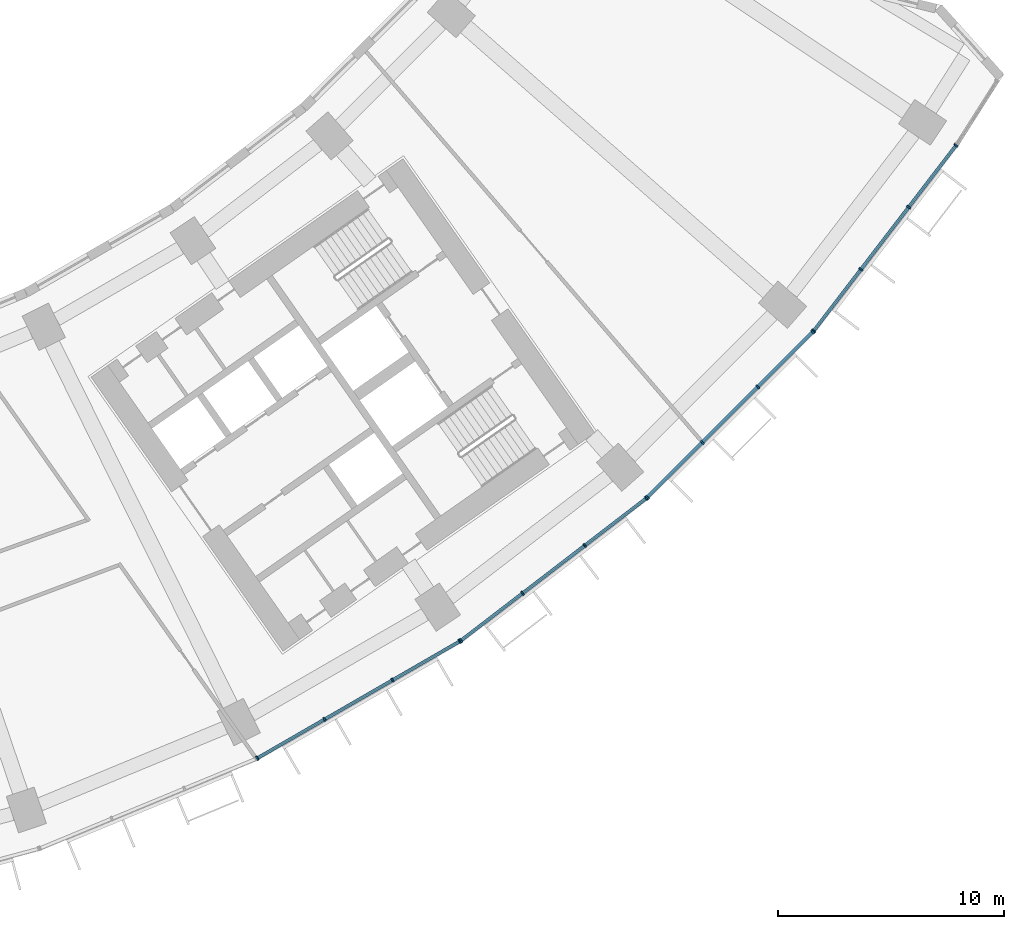
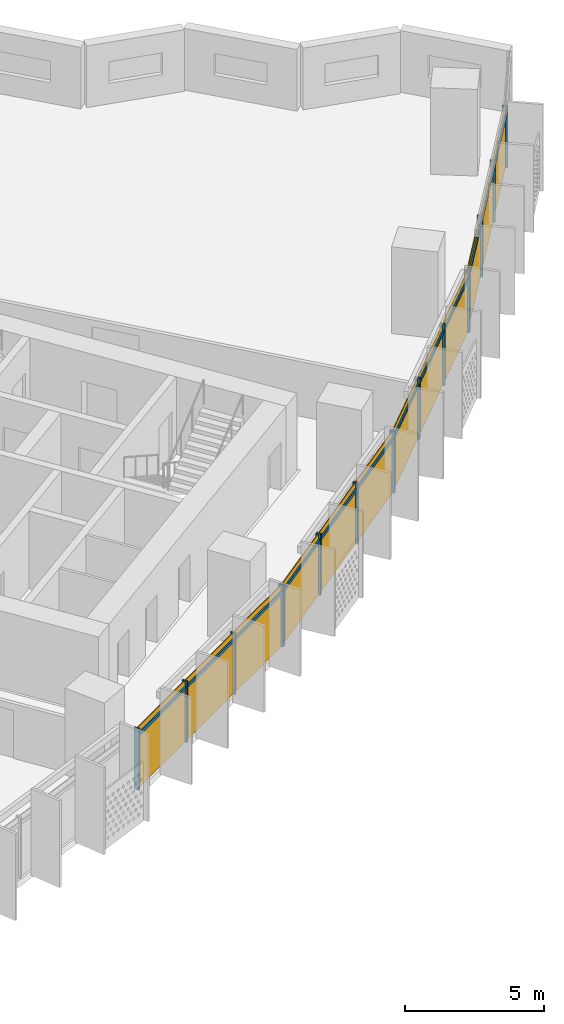
# One storey, part 22 of 31: 28 members, 4 curtain walls.
"""IFC4 building model written with IfcOpenShell, lengths in metres."""

from ifc_helpers import new_model, si_unit, direction, frame, origin, origin_2d, place, context, subcontext, project, spatial, rectangle, extrude, material, material_profile, profile_set, type_object, element, aggregate, save


model = new_model("IFC4")

# Units and contexts
model_context = context("Model", 3, precision=1e-05, world=origin(), true_north=direction((0.0, 1.0)))
body_context = subcontext(model_context, "Body", "Model", "MODEL_VIEW")
ifc_project = project(units=[si_unit("LENGTHUNIT", "METRE"), si_unit("AREAUNIT", "SQUARE_METRE"), si_unit("VOLUMEUNIT", "CUBIC_METRE"), si_unit("PLANEANGLEUNIT", "RADIAN"), si_unit("MASSUNIT", "GRAM", prefix="KILO")], contexts=[model_context])

# Member
ifc_material = material(Name="Aluminium 6063-T6 anodised", Category="aluminium")
ifc_material_profile_1 = material_profile(ifc_material, rectangle(XDim=0.199951171875, YDim=0.070068359375, at=origin_2d()))
ifc_profile_set_1 = profile_set([ifc_material_profile_1], Name="Aluminium 6063-T6 anodised")
member_type_1 = type_object("IfcMemberType", Name="Mullion 70 x 200 aluminium", PredefinedType="MULLION", material=ifc_profile_set_1)
site_placement = place(None, origin())
building_placement = place(site_placement, origin())
storey_placement = place(building_placement, frame((0.0, 0.0, 86.10009765625)))
member_1_placement = place(storey_placement, frame((35.20849609375, -71.331787109375, 0.0), z_axis=(0.0, 0.0, 1.0), x_axis=(-0.5, 0.866025403784, 0.0)))
member_1 = element("IfcMember", 1, at=member_1_placement, type_object=member_type_1, Name="e-cw1-L18-out12/M00", PredefinedType="MULLION", context=body_context, shape_type="SweptSolid", body=[
    extrude(rectangle(XDim=0.199951171875, YDim=0.070068359375, at=origin_2d()), origin(), (0.0, 0.0, 1.0), 2.699951171875),
])

member_2_placement = place(storey_placement, frame((38.18603515625, -69.61279296875, 0.0), z_axis=(0.0, 0.0, 1.0), x_axis=(-0.5, 0.866025403784, 0.0)))
member_2 = element("IfcMember", 2, at=member_2_placement, type_object=member_type_1, Name="e-cw1-L18-out12/M01", PredefinedType="MULLION", context=body_context, shape_type="SweptSolid", body=[
    extrude(rectangle(XDim=0.199951171875, YDim=0.070068359375, at=origin_2d()), origin(), (0.0, 0.0, 1.0), 2.699951171875),
])

member_3_placement = place(storey_placement, frame((41.193603515625, -67.87646484375, 0.0), z_axis=(0.0, 0.0, 1.0), x_axis=(-0.5, 0.866025403784, 0.0)))
member_3 = element("IfcMember", 3, at=member_3_placement, type_object=member_type_1, Name="e-cw1-L18-out12/M02", PredefinedType="MULLION", context=body_context, shape_type="SweptSolid", body=[
    extrude(rectangle(XDim=0.199951171875, YDim=0.070068359375, at=origin_2d()), origin(), (0.0, 0.0, 1.0), 2.699951171875),
])

member_4_placement = place(storey_placement, frame((44.1708984375, -66.157470703125, 0.0), z_axis=(0.0, 0.0, 1.0), x_axis=(-0.5, 0.866025403784, 0.0)))
member_4 = element("IfcMember", 4, at=member_4_placement, type_object=member_type_1, Name="e-cw1-L18-out12/M03", PredefinedType="MULLION", context=body_context, shape_type="SweptSolid", body=[
    extrude(rectangle(XDim=0.199951171875, YDim=0.070068359375, at=origin_2d()), origin(), (0.0, 0.0, 1.0), 2.699951171875),
])

member_5_placement = place(storey_placement, frame((44.218017578125, -66.1259765625, 0.0), z_axis=(0.0, 0.0, 1.0), x_axis=(-0.608761429009, 0.793353340291, 0.0)))
member_5 = element("IfcMember", 5, at=member_5_placement, type_object=member_type_1, Name="e-cw1-L18-out13/M00", PredefinedType="MULLION", context=body_context, shape_type="SweptSolid", body=[
    extrude(rectangle(XDim=0.199951171875, YDim=0.070068359375, at=origin_2d()), origin(), (0.0, 0.0, 1.0), 2.699951171875),
])

member_6_placement = place(storey_placement, frame((46.945556640625, -64.032958984375, 0.0), z_axis=(0.0, 0.0, 1.0), x_axis=(-0.608761429009, 0.793353340291, 0.0)))
member_6 = element("IfcMember", 6, at=member_6_placement, type_object=member_type_1, Name="e-cw1-L18-out13/M01", PredefinedType="MULLION", context=body_context, shape_type="SweptSolid", body=[
    extrude(rectangle(XDim=0.199951171875, YDim=0.070068359375, at=origin_2d()), origin(), (0.0, 0.0, 1.0), 2.699951171875),
])

member_7_placement = place(storey_placement, frame((49.70068359375, -61.9189453125, 0.0), z_axis=(0.0, 0.0, 1.0), x_axis=(-0.608761429009, 0.793353340291, 0.0)))
member_7 = element("IfcMember", 7, at=member_7_placement, type_object=member_type_1, Name="e-cw1-L18-out13/M02", PredefinedType="MULLION", context=body_context, shape_type="SweptSolid", body=[
    extrude(rectangle(XDim=0.199951171875, YDim=0.070068359375, at=origin_2d()), origin(), (0.0, 0.0, 1.0), 2.699951171875),
])

member_8_placement = place(storey_placement, frame((52.42822265625, -59.825927734375, 0.0), z_axis=(0.0, 0.0, 1.0), x_axis=(-0.608761429009, 0.793353340291, 0.0)))
member_8 = element("IfcMember", 8, at=member_8_placement, type_object=member_type_1, Name="e-cw1-L18-out13/M03", PredefinedType="MULLION", context=body_context, shape_type="SweptSolid", body=[
    extrude(rectangle(XDim=0.199951171875, YDim=0.070068359375, at=origin_2d()), origin(), (0.0, 0.0, 1.0), 2.699951171875),
])

member_9_placement = place(storey_placement, frame((52.470947265625, -59.78857421875, 0.0), z_axis=(0.0, 0.0, 1.0), x_axis=(-0.707106781187, 0.707106781187, 0.0)))
member_9 = element("IfcMember", 9, at=member_9_placement, type_object=member_type_1, Name="e-cw1-L18-out14/M00", PredefinedType="MULLION", context=body_context, shape_type="SweptSolid", body=[
    extrude(rectangle(XDim=0.199951171875, YDim=0.070068359375, at=origin_2d()), origin(), (0.0, 0.0, 1.0), 2.699951171875),
])

member_10_placement = place(storey_placement, frame((54.90185546875, -57.357666015625, 0.0), z_axis=(0.0, 0.0, 1.0), x_axis=(-0.707106781187, 0.707106781187, 0.0)))
member_10 = element("IfcMember", 10, at=member_10_placement, type_object=member_type_1, Name="e-cw1-L18-out14/M01", PredefinedType="MULLION", context=body_context, shape_type="SweptSolid", body=[
    extrude(rectangle(XDim=0.199951171875, YDim=0.070068359375, at=origin_2d()), origin(), (0.0, 0.0, 1.0), 2.699951171875),
])

member_11_placement = place(storey_placement, frame((57.357666015625, -54.90185546875, 0.0), z_axis=(0.0, 0.0, 1.0), x_axis=(-0.707106781187, 0.707106781187, 0.0)))
member_11 = element("IfcMember", 11, at=member_11_placement, type_object=member_type_1, Name="e-cw1-L18-out14/M02", PredefinedType="MULLION", context=body_context, shape_type="SweptSolid", body=[
    extrude(rectangle(XDim=0.199951171875, YDim=0.070068359375, at=origin_2d()), origin(), (0.0, 0.0, 1.0), 2.699951171875),
])

member_12_placement = place(storey_placement, frame((59.78857421875, -52.470947265625, 0.0), z_axis=(0.0, 0.0, 1.0), x_axis=(-0.707106781187, 0.707106781187, 0.0)))
member_12 = element("IfcMember", 12, at=member_12_placement, type_object=member_type_1, Name="e-cw1-L18-out14/M03", PredefinedType="MULLION", context=body_context, shape_type="SweptSolid", body=[
    extrude(rectangle(XDim=0.199951171875, YDim=0.070068359375, at=origin_2d()), origin(), (0.0, 0.0, 1.0), 2.699951171875),
])

member_13_placement = place(storey_placement, frame((59.825927734375, -52.42822265625, 0.0), z_axis=(0.0, 0.0, 1.0), x_axis=(-0.793353340291, 0.608761429009, 0.0)))
member_13 = element("IfcMember", 13, at=member_13_placement, type_object=member_type_1, Name="e-cw1-L18-out15/M00", PredefinedType="MULLION", context=body_context, shape_type="SweptSolid", body=[
    extrude(rectangle(XDim=0.199951171875, YDim=0.070068359375, at=origin_2d()), origin(), (0.0, 0.0, 1.0), 2.699951171875),
])

member_14_placement = place(storey_placement, frame((61.9189453125, -49.70068359375, 0.0), z_axis=(0.0, 0.0, 1.0), x_axis=(-0.793353340291, 0.608761429009, 0.0)))
member_14 = element("IfcMember", 14, at=member_14_placement, type_object=member_type_1, Name="e-cw1-L18-out15/M01", PredefinedType="MULLION", context=body_context, shape_type="SweptSolid", body=[
    extrude(rectangle(XDim=0.199951171875, YDim=0.070068359375, at=origin_2d()), origin(), (0.0, 0.0, 1.0), 2.699951171875),
])

member_15_placement = place(storey_placement, frame((64.032958984375, -46.945556640625, 0.0), z_axis=(0.0, 0.0, 1.0), x_axis=(-0.793353340291, 0.608761429009, 0.0)))
member_15 = element("IfcMember", 15, at=member_15_placement, type_object=member_type_1, Name="e-cw1-L18-out15/M02", PredefinedType="MULLION", context=body_context, shape_type="SweptSolid", body=[
    extrude(rectangle(XDim=0.199951171875, YDim=0.070068359375, at=origin_2d()), origin(), (0.0, 0.0, 1.0), 2.699951171875),
])

member_16_placement = place(storey_placement, frame((66.1259765625, -44.218017578125, 0.0), z_axis=(0.0, 0.0, 1.0), x_axis=(-0.793353340291, 0.608761429009, 0.0)))
member_16 = element("IfcMember", 16, at=member_16_placement, type_object=member_type_1, Name="e-cw1-L18-out15/M03", PredefinedType="MULLION", context=body_context, shape_type="SweptSolid", body=[
    extrude(rectangle(XDim=0.199951171875, YDim=0.070068359375, at=origin_2d()), origin(), (0.0, 0.0, 1.0), 2.699951171875),
])

ifc_material_profile_2 = material_profile(ifc_material, rectangle(XDim=0.139892578125, YDim=0.1201171875, at=origin_2d()))
ifc_profile_set_2 = profile_set([ifc_material_profile_2], Name="Aluminium 6063-T6 anodised")
member_type_2 = type_object("IfcMemberType", Name="Transom 120 x 140 aluminium", PredefinedType="USERDEFINED", material=ifc_profile_set_2)
member_17_placement = place(storey_placement, frame((35.239013671875, -71.314208984375, 2.39990234375), z_axis=(0.866026229868, 0.499998569178, 0.0), x_axis=(-0.499998569178, 0.866026229868, 0.0)))
member_17 = element("IfcMember", 17, at=member_17_placement, type_object=member_type_2, Name="e-cw1-L18-out12/T00", ObjectType="TRANSOM", PredefinedType="USERDEFINED", context=body_context, shape_type="SweptSolid", body=[
    extrude(rectangle(XDim=0.139892578125, YDim=0.1201171875, at=origin_2d()), origin(), (0.0, 0.0, 1.0), 3.36767578125),
])

member_18_placement = place(storey_placement, frame((38.21630859375, -69.595458984375, 2.39990234375), z_axis=(0.866000398227, 0.500043308395, 0.0), x_axis=(-0.500043308395, 0.866000398227, 0.0)))
member_18 = element("IfcMember", 18, at=member_18_placement, type_object=member_type_2, Name="e-cw1-L18-out12/T01", ObjectType="TRANSOM", PredefinedType="USERDEFINED", context=body_context, shape_type="SweptSolid", body=[
    extrude(rectangle(XDim=0.139892578125, YDim=0.1201171875, at=origin_2d()), origin(), (0.0, 0.0, 1.0), 3.403076171875),
])

member_19_placement = place(storey_placement, frame((41.223876953125, -67.85888671875, 2.39990234375), z_axis=(0.866044351828, 0.49996717959, 0.0), x_axis=(-0.49996717959, 0.866044351828, 0.0)))
member_19 = element("IfcMember", 19, at=member_19_placement, type_object=member_type_2, Name="e-cw1-L18-out12/T02", ObjectType="TRANSOM", PredefinedType="USERDEFINED", context=body_context, shape_type="SweptSolid", body=[
    extrude(rectangle(XDim=0.139892578125, YDim=0.1201171875, at=origin_2d()), origin(), (0.0, 0.0, 1.0), 3.367919921875),
])

member_20_placement = place(storey_placement, frame((44.245849609375, -66.1044921875, 2.39990234375), z_axis=(0.793375276742, 0.608732839803, 0.0), x_axis=(-0.608732839803, 0.793375276742, 0.0)))
member_20 = element("IfcMember", 20, at=member_20_placement, type_object=member_type_2, Name="e-cw1-L18-out13/T00", ObjectType="TRANSOM", PredefinedType="USERDEFINED", context=body_context, shape_type="SweptSolid", body=[
    extrude(rectangle(XDim=0.139892578125, YDim=0.1201171875, at=origin_2d()), origin(), (0.0, 0.0, 1.0), 3.36767578125),
])

member_21_placement = place(storey_placement, frame((46.973388671875, -64.01171875, 2.39990234375), z_axis=(0.793356868815, 0.60875683052, 0.0), x_axis=(-0.60875683052, 0.793356868815, 0.0)))
member_21 = element("IfcMember", 21, at=member_21_placement, type_object=member_type_2, Name="e-cw1-L18-out13/T01", ObjectType="TRANSOM", PredefinedType="USERDEFINED", context=body_context, shape_type="SweptSolid", body=[
    extrude(rectangle(XDim=0.139892578125, YDim=0.1201171875, at=origin_2d()), origin(), (0.0, 0.0, 1.0), 3.40283203125),
])

member_22_placement = place(storey_placement, frame((49.728515625, -61.8974609375, 2.39990234375), z_axis=(0.793375276742, 0.608732839803, 0.0), x_axis=(-0.608732839803, 0.793375276742, 0.0)))
member_22 = element("IfcMember", 22, at=member_22_placement, type_object=member_type_2, Name="e-cw1-L18-out13/T02", ObjectType="TRANSOM", PredefinedType="USERDEFINED", context=body_context, shape_type="SweptSolid", body=[
    extrude(rectangle(XDim=0.139892578125, YDim=0.1201171875, at=origin_2d()), origin(), (0.0, 0.0, 1.0), 3.36767578125),
])

member_23_placement = place(storey_placement, frame((52.49560546875, -59.763916015625, 2.39990234375), z_axis=(0.707106781187, 0.707106781187, 0.0), x_axis=(-0.707106781187, 0.707106781187, 0.0)))
member_23 = element("IfcMember", 23, at=member_23_placement, type_object=member_type_2, Name="e-cw1-L18-out14/T00", ObjectType="TRANSOM", PredefinedType="USERDEFINED", context=body_context, shape_type="SweptSolid", body=[
    extrude(rectangle(XDim=0.139892578125, YDim=0.1201171875, at=origin_2d()), origin(), (0.0, 0.0, 1.0), 3.3681640625),
])

member_24_placement = place(storey_placement, frame((54.9267578125, -57.332763671875, 2.39990234375), z_axis=(0.707106781187, 0.707106781187, 0.0), x_axis=(-0.707106781187, 0.707106781187, 0.0)))
member_24 = element("IfcMember", 24, at=member_24_placement, type_object=member_type_2, Name="e-cw1-L18-out14/T01", ObjectType="TRANSOM", PredefinedType="USERDEFINED", context=body_context, shape_type="SweptSolid", body=[
    extrude(rectangle(XDim=0.139892578125, YDim=0.1201171875, at=origin_2d()), origin(), (0.0, 0.0, 1.0), 3.402587890625),
])

member_25_placement = place(storey_placement, frame((57.38232421875, -54.877197265625, 2.39990234375), z_axis=(0.707106781187, 0.707106781187, 0.0), x_axis=(-0.707106781187, 0.707106781187, 0.0)))
member_25 = element("IfcMember", 25, at=member_25_placement, type_object=member_type_2, Name="e-cw1-L18-out14/T02", ObjectType="TRANSOM", PredefinedType="USERDEFINED", context=body_context, shape_type="SweptSolid", body=[
    extrude(rectangle(XDim=0.139892578125, YDim=0.1201171875, at=origin_2d()), origin(), (0.0, 0.0, 1.0), 3.3681640625),
])

member_26_placement = place(storey_placement, frame((59.847412109375, -52.400390625, 2.39990234375), z_axis=(0.608732839803, 0.793375276742, 0.0), x_axis=(-0.793375276742, 0.608732839803, 0.0)))
member_26 = element("IfcMember", 26, at=member_26_placement, type_object=member_type_2, Name="e-cw1-L18-out15/T00", ObjectType="TRANSOM", PredefinedType="USERDEFINED", context=body_context, shape_type="SweptSolid", body=[
    extrude(rectangle(XDim=0.139892578125, YDim=0.1201171875, at=origin_2d()), origin(), (0.0, 0.0, 1.0), 3.36767578125),
])

member_27_placement = place(storey_placement, frame((61.940185546875, -49.673095703125, 2.39990234375), z_axis=(0.60875683052, 0.793356868815, 0.0), x_axis=(-0.793356868815, 0.60875683052, 0.0)))
member_27 = element("IfcMember", 27, at=member_27_placement, type_object=member_type_2, Name="e-cw1-L18-out15/T01", ObjectType="TRANSOM", PredefinedType="USERDEFINED", context=body_context, shape_type="SweptSolid", body=[
    extrude(rectangle(XDim=0.139892578125, YDim=0.1201171875, at=origin_2d()), origin(), (0.0, 0.0, 1.0), 3.40283203125),
])

member_28_placement = place(storey_placement, frame((64.054443359375, -46.917724609375, 2.39990234375), z_axis=(0.608732839803, 0.793375276742, 0.0), x_axis=(-0.793375276742, 0.608732839803, 0.0)))
member_28 = element("IfcMember", 28, at=member_28_placement, type_object=member_type_2, Name="e-cw1-L18-out15/T02", ObjectType="TRANSOM", PredefinedType="USERDEFINED", context=body_context, shape_type="SweptSolid", body=[
    extrude(rectangle(XDim=0.139892578125, YDim=0.1201171875, at=origin_2d()), origin(), (0.0, 0.0, 1.0), 3.36767578125),
])

# Site, building, storey
site = spatial("IfcSite", under=ifc_project, at=site_placement, CompositionType="ELEMENT")
building = spatial("IfcBuilding", under=site, at=building_placement, Name="Qamariyya Broadcast Tower", CompositionType="ELEMENT")
storey = spatial("IfcBuildingStorey", under=building, at=storey_placement, Name="L18", CompositionType="ELEMENT", Elevation=86.10009765625)

# Curtain wall
curtain_wall_type = type_object("IfcCurtainWallType", Name="Unitised curtain wall, anodised aluminium", PredefinedType="NOTDEFINED", material=ifc_material)
curtain_wall_1_placement = place(storey_placement, origin())
curtain_wall_1 = element("IfcCurtainWall", 29, at=curtain_wall_1_placement, inside=storey, type_object=curtain_wall_type, Name="e-cw1-L18-out12", PredefinedType="NOTDEFINED", context=body_context, shape_type="SweptSolid", body=[
    extrude(rectangle(XDim=3.367919921875, YDim=0.031982421875, at=origin_2d()), frame((36.697265625, -70.472412109375, 0.0), x_axis=(0.86602247392, 0.500005074639, 0.0)), (0.0, 0.0, 1.0), 2.340087890625),
    extrude(rectangle(XDim=3.367919921875, YDim=0.031982421875, at=origin_2d()), frame((36.697265625, -70.472412109375, 2.4599609375), x_axis=(0.86602247392, 0.500005074639, 0.0)), (0.0, 0.0, 1.0), 0.239990234375),
    extrude(rectangle(XDim=3.40283203125, YDim=0.031982421875, at=origin_2d()), frame((39.689697265625, -68.74462890625, 0.0), x_axis=(0.86602247392, 0.500005074639, 0.0)), (0.0, 0.0, 1.0), 2.340087890625),
    extrude(rectangle(XDim=3.40283203125, YDim=0.031982421875, at=origin_2d()), frame((39.689697265625, -68.74462890625, 2.4599609375), x_axis=(0.86602247392, 0.500005074639, 0.0)), (0.0, 0.0, 1.0), 0.239990234375),
    extrude(rectangle(XDim=3.367919921875, YDim=0.031982421875, at=origin_2d()), frame((42.68212890625, -67.016845703125, 0.0), x_axis=(0.86602247392, 0.500005074639, 0.0)), (0.0, 0.0, 1.0), 2.340087890625),
    extrude(rectangle(XDim=3.367919921875, YDim=0.031982421875, at=origin_2d()), frame((42.68212890625, -67.016845703125, 2.4599609375), x_axis=(0.86602247392, 0.500005074639, 0.0)), (0.0, 0.0, 1.0), 0.239990234375),
])

aggregate(curtain_wall_1, [member_1, member_2, member_3, member_4, member_17, member_18, member_19])

curtain_wall_2_placement = place(storey_placement, origin())
curtain_wall_2 = element("IfcCurtainWall", 30, at=curtain_wall_2_placement, inside=storey, type_object=curtain_wall_type, Name="e-cw1-L18-out13", PredefinedType="NOTDEFINED", context=body_context, shape_type="SweptSolid", body=[
    extrude(rectangle(XDim=3.367919921875, YDim=0.031982421875, at=origin_2d()), frame((45.581787109375, -65.07958984375, 0.0), x_axis=(0.79335775203, 0.608755679475, 0.0)), (0.0, 0.0, 1.0), 2.340087890625),
    extrude(rectangle(XDim=3.367919921875, YDim=0.031982421875, at=origin_2d()), frame((45.581787109375, -65.07958984375, 2.4599609375), x_axis=(0.79335775203, 0.608755679475, 0.0)), (0.0, 0.0, 1.0), 0.239990234375),
    extrude(rectangle(XDim=3.40283203125, YDim=0.031982421875, at=origin_2d()), frame((48.3232421875, -62.97607421875, 0.0), x_axis=(0.79335775203, 0.608755679475, 0.0)), (0.0, 0.0, 1.0), 2.340087890625),
    extrude(rectangle(XDim=3.40283203125, YDim=0.031982421875, at=origin_2d()), frame((48.3232421875, -62.97607421875, 2.4599609375), x_axis=(0.79335775203, 0.608755679475, 0.0)), (0.0, 0.0, 1.0), 0.239990234375),
    extrude(rectangle(XDim=3.367919921875, YDim=0.031982421875, at=origin_2d()), frame((51.064453125, -60.872314453125, 0.0), x_axis=(0.79335775203, 0.608755679475, 0.0)), (0.0, 0.0, 1.0), 2.340087890625),
    extrude(rectangle(XDim=3.367919921875, YDim=0.031982421875, at=origin_2d()), frame((51.064453125, -60.872314453125, 2.4599609375), x_axis=(0.79335775203, 0.608755679475, 0.0)), (0.0, 0.0, 1.0), 0.239990234375),
])

aggregate(curtain_wall_2, [member_5, member_6, member_7, member_8, member_20, member_21, member_22])

curtain_wall_3_placement = place(storey_placement, origin())
curtain_wall_3 = element("IfcCurtainWall", 31, at=curtain_wall_3_placement, inside=storey, type_object=curtain_wall_type, Name="e-cw1-L18-out14", PredefinedType="NOTDEFINED", context=body_context, shape_type="SweptSolid", body=[
    extrude(rectangle(XDim=3.367919921875, YDim=0.031982421875, at=origin_2d()), frame((53.6865234375, -58.572998046875, 0.0), x_axis=(0.707106781187, 0.707106781187, 0.0)), (0.0, 0.0, 1.0), 2.340087890625),
    extrude(rectangle(XDim=3.367919921875, YDim=0.031982421875, at=origin_2d()), frame((53.6865234375, -58.572998046875, 2.4599609375), x_axis=(0.707106781187, 0.707106781187, 0.0)), (0.0, 0.0, 1.0), 0.239990234375),
    extrude(rectangle(XDim=3.40283203125, YDim=0.031982421875, at=origin_2d()), frame((56.1298828125, -56.1298828125, 0.0), x_axis=(0.707106781187, 0.707106781187, 0.0)), (0.0, 0.0, 1.0), 2.340087890625),
    extrude(rectangle(XDim=3.40283203125, YDim=0.031982421875, at=origin_2d()), frame((56.1298828125, -56.1298828125, 2.4599609375), x_axis=(0.707106781187, 0.707106781187, 0.0)), (0.0, 0.0, 1.0), 0.239990234375),
    extrude(rectangle(XDim=3.367919921875, YDim=0.031982421875, at=origin_2d()), frame((58.572998046875, -53.6865234375, 0.0), x_axis=(0.707106781187, 0.707106781187, 0.0)), (0.0, 0.0, 1.0), 2.340087890625),
    extrude(rectangle(XDim=3.367919921875, YDim=0.031982421875, at=origin_2d()), frame((58.572998046875, -53.6865234375, 2.4599609375), x_axis=(0.707106781187, 0.707106781187, 0.0)), (0.0, 0.0, 1.0), 0.239990234375),
])

aggregate(curtain_wall_3, [member_9, member_10, member_11, member_12, member_23, member_24, member_25])

curtain_wall_4_placement = place(storey_placement, origin())
curtain_wall_4 = element("IfcCurtainWall", 32, at=curtain_wall_4_placement, inside=storey, type_object=curtain_wall_type, Name="e-cw1-L18-out15", PredefinedType="NOTDEFINED", context=body_context, shape_type="SweptSolid", body=[
    extrude(rectangle(XDim=3.367919921875, YDim=0.031982421875, at=origin_2d()), frame((60.872314453125, -51.064453125, 0.0), x_axis=(0.608755679475, 0.79335775203, 0.0)), (0.0, 0.0, 1.0), 2.340087890625),
    extrude(rectangle(XDim=3.367919921875, YDim=0.031982421875, at=origin_2d()), frame((60.872314453125, -51.064453125, 2.4599609375), x_axis=(0.608755679475, 0.79335775203, 0.0)), (0.0, 0.0, 1.0), 0.239990234375),
    extrude(rectangle(XDim=3.40283203125, YDim=0.031982421875, at=origin_2d()), frame((62.97607421875, -48.3232421875, 0.0), x_axis=(0.608755679475, 0.79335775203, 0.0)), (0.0, 0.0, 1.0), 2.340087890625),
    extrude(rectangle(XDim=3.40283203125, YDim=0.031982421875, at=origin_2d()), frame((62.97607421875, -48.3232421875, 2.4599609375), x_axis=(0.608755679475, 0.79335775203, 0.0)), (0.0, 0.0, 1.0), 0.239990234375),
    extrude(rectangle(XDim=3.367919921875, YDim=0.031982421875, at=origin_2d()), frame((65.07958984375, -45.581787109375, 0.0), x_axis=(0.608755679475, 0.79335775203, 0.0)), (0.0, 0.0, 1.0), 2.340087890625),
    extrude(rectangle(XDim=3.367919921875, YDim=0.031982421875, at=origin_2d()), frame((65.07958984375, -45.581787109375, 2.4599609375), x_axis=(0.608755679475, 0.79335775203, 0.0)), (0.0, 0.0, 1.0), 0.239990234375),
])

aggregate(curtain_wall_4, [member_13, member_14, member_15, member_16, member_26, member_27, member_28])

save(model, "model.ifc")
